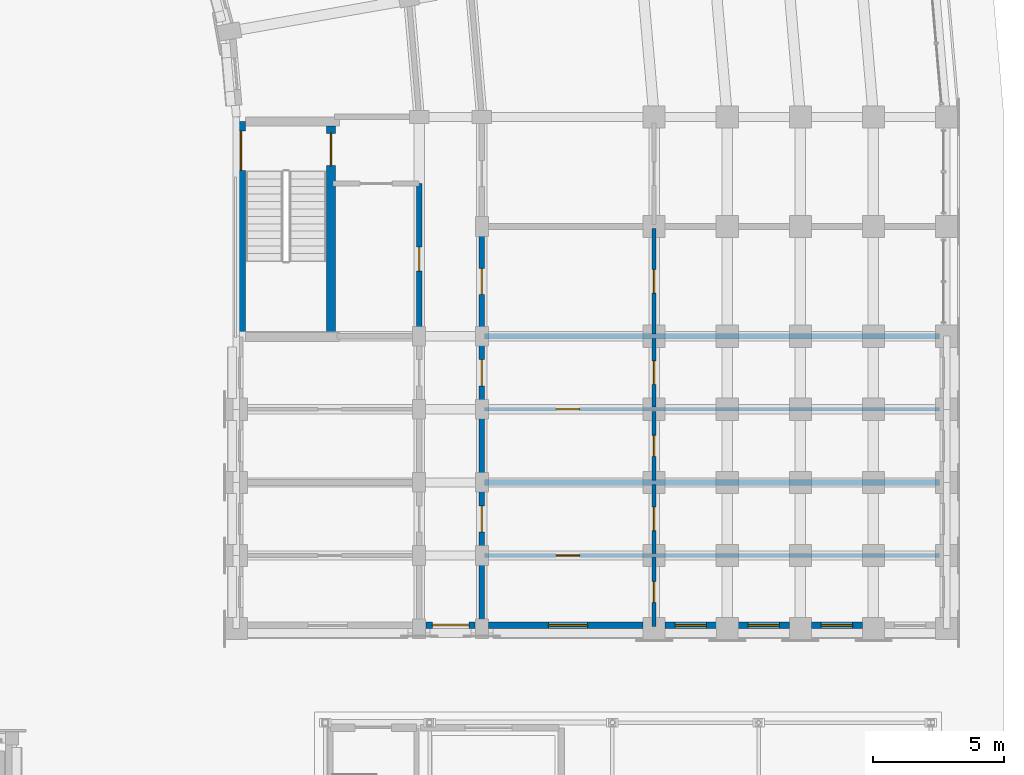
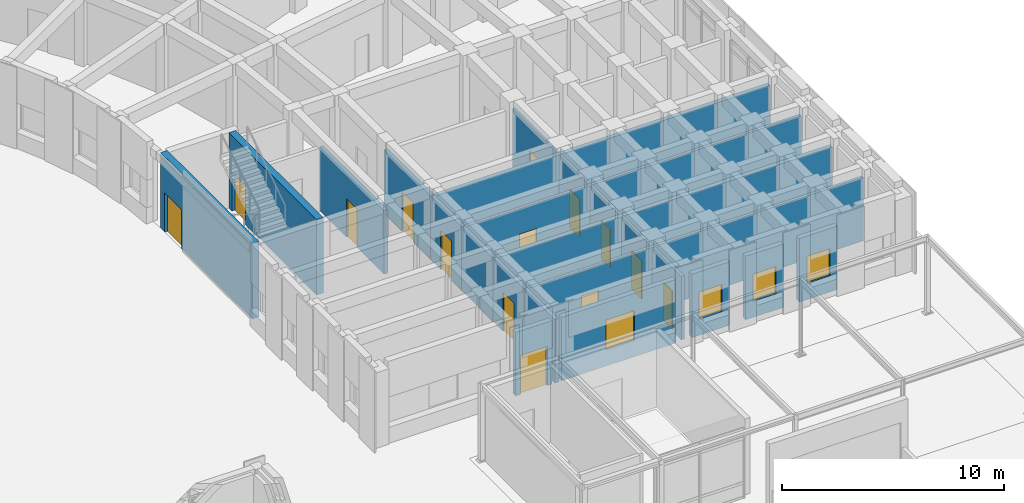
# One storey, part 108 of 135: 22 walls, 14 doors, 4 windows, 18 openings.
"""IFC4 building model written with IfcOpenShell, lengths in metres."""

from ifc_helpers import new_model, si_unit, direction, frame, frame_2d, origin, place, context, subcontext, project, spatial, rectangle, extrude, material, layer, layer_set, type_object, element, fill, save


model = new_model("IFC4")

# Units and contexts
model_context = context("Model", 3, precision=1e-05, world=origin(), true_north=direction((0.0, 1.0)))
body_context = subcontext(model_context, "Body", "Model", "MODEL_VIEW")
ifc_project = project(units=[si_unit("LENGTHUNIT", "METRE"), si_unit("AREAUNIT", "SQUARE_METRE"), si_unit("VOLUMEUNIT", "CUBIC_METRE"), si_unit("PLANEANGLEUNIT", "RADIAN"), si_unit("MASSUNIT", "GRAM", prefix="KILO")], contexts=[model_context])

# Site, building, storey
site_placement = place(None, origin())
site = spatial("IfcSite", under=ifc_project, at=site_placement, CompositionType="ELEMENT")
building_placement = place(site_placement, origin())
building = spatial("IfcBuilding", under=site, at=building_placement, Name="Kiranvali Square Residences", CompositionType="ELEMENT")
storey_placement = place(building_placement, origin())
storey = spatial("IfcBuildingStorey", under=building, at=storey_placement, Name="L00", CompositionType="ELEMENT", Elevation=0.0)

# Wall, opening, door
ifc_material_1 = material(Name="Autoclaved aerated concrete blockwork masonry", Category="masonry")
ifc_layer_1 = layer(ifc_material_1, 0.199951171875)
ifc_layer_set_1 = layer_set([ifc_layer_1], Name="Autoclaved aerated concrete blockwork masonry")
wall_type_1 = type_object("IfcWallType", Name="WL-COR-200", PredefinedType="STANDARD", material=ifc_layer_set_1)
wall_1_placement = place(storey_placement, frame((145.60009765625, 85.25, 0.0), z_axis=(0.0, 0.0, 1.0), x_axis=(0.0, -1.0, 0.0)))
wall_1 = element("IfcWall", 1, at=wall_1_placement, inside=storey, type_object=wall_type_1, Name="L00 architectural wall WL-L00-B-S3-COR", PredefinedType="STANDARD", context=body_context, shape_type="SweptSolid", body=[
    extrude(rectangle(XDim=5.800048828125, YDim=0.199951171875, at=frame_2d((2.89990234375, 0.0))), origin(), (0.0, 0.0, 1.0), 3.491943359375),
])
opening_1_placement = place(wall_1_placement, frame((2.43994140625, 0.0, 0.0)))
opening_1 = element("IfcOpeningElement", 2, at=opening_1_placement, cuts=wall_1, Name="Opening FD-SVC-120", PredefinedType="OPENING", context=body_context, shape_type="SweptSolid", body=[
    extrude(rectangle(XDim=0.919921875, YDim=2.10009765625, at=frame_2d((0.4599609375, 1.050048828125))), frame((0.0, 0.10986328125, 0.0), z_axis=(0.0, -1.0, 0.0), x_axis=(1.0, 0.0, 0.0)), (0.0, 0.0, 1.0), 0.219970703125),
])
ifc_material_2 = material(Name="Fire-rated acoustic hardwood and mineral-core door assembly", Category="wood")
door_type_1 = type_object("IfcDoorType", Name="DR-SVC-900", OperationType="NOTDEFINED", PredefinedType="DOOR", material=ifc_material_2)
door_1_placement = place(opening_1_placement, frame((0.919921875, 0.0, 0.0), z_axis=(0.0, 0.0, 1.0), x_axis=(-1.0, 0.0, 0.0)))
door_1 = element("IfcDoor", 3, at=door_1_placement, inside=storey, type_object=door_type_1, Name="L00 door DR-L00-0952 (DR-SVC-900)", OperationType="SINGLE_SWING_RIGHT", OverallHeight=2.10009765625, OverallWidth=0.919921875, PredefinedType="DOOR", context=body_context, shape_type="SweptSolid", body=[
    extrude(rectangle(XDim=0.919921875, YDim=2.10009765625, at=frame_2d((0.4599609375, 1.050048828125))), frame((0.0, 0.02490234375, 0.0), z_axis=(0.0, -1.0, 0.0), x_axis=(1.0, 0.0, 0.0)), (0.0, 0.0, 1.0), 0.050048828125),
])
fill(opening_1, door_1)

wall_2_placement = place(storey_placement, frame((148.0, 83.60009765625, 0.0), z_axis=(0.0, 0.0, 1.0), x_axis=(0.0, -1.0, 0.0)))
wall_2 = element("IfcWall", 4, at=wall_2_placement, inside=storey, type_object=wall_type_1, Name="L00 architectural wall WL-L00-B-A2CF-C1", PredefinedType="STANDARD", context=body_context, shape_type="SweptSolid", body=[
    extrude(rectangle(XDim=4.2001953125, YDim=0.199951171875, at=frame_2d((2.10009765625, 0.0))), origin(), (0.0, 0.0, 1.0), 3.491943359375),
])
opening_2_placement = place(wall_2_placement, frame((1.60009765625, 0.0, 0.0)))
opening_2 = element("IfcOpeningElement", 5, at=opening_2_placement, cuts=wall_2, Name="Opening FD-APT-60", PredefinedType="OPENING", context=body_context, shape_type="SweptSolid", body=[
    extrude(rectangle(XDim=1.0, YDim=2.14990234375, at=frame_2d((0.5, 1.074951171875))), frame((0.0, 0.10986328125, 0.0), z_axis=(0.0, -1.0, 0.0), x_axis=(1.0, 0.0, 0.0)), (0.0, 0.0, 1.0), 0.219970703125),
])
door_type_2 = type_object("IfcDoorType", Name="DR-APT-1000", OperationType="NOTDEFINED", PredefinedType="DOOR", material=ifc_material_2)
door_2_placement = place(opening_2_placement, frame((1.0, 0.0, 0.0), z_axis=(0.0, 0.0, 1.0), x_axis=(-1.0, 0.0, 0.0)))
door_2 = element("IfcDoor", 6, at=door_2_placement, inside=storey, type_object=door_type_2, Name="L00 door DR-L00-0984 (DR-APT-1000)", OperationType="SINGLE_SWING_RIGHT", OverallHeight=2.14990234375, OverallWidth=1.0, PredefinedType="DOOR", context=body_context, shape_type="SweptSolid", body=[
    extrude(rectangle(XDim=1.0, YDim=2.14990234375, at=frame_2d((0.5, 1.074951171875))), frame((0.0, 0.02490234375, 0.0), z_axis=(0.0, -1.0, 0.0), x_axis=(1.0, 0.0, 0.0)), (0.0, 0.0, 1.0), 0.050048828125),
])
fill(opening_2, door_2)

wall_3_placement = place(storey_placement, frame((148.0, 79.39990234375, 0.0), z_axis=(0.0, 0.0, 1.0), x_axis=(0.0, -1.0, 0.0)))
wall_3 = element("IfcWall", 7, at=wall_3_placement, inside=storey, type_object=wall_type_1, Name="L00 architectural wall WL-L00-B-A2CO-0", PredefinedType="STANDARD", context=body_context, shape_type="SweptSolid", body=[
    extrude(rectangle(XDim=2.7998046875, YDim=0.199951171875, at=frame_2d((1.39990234375, 0.0))), origin(), (0.0, 0.0, 1.0), 3.491943359375),
])
opening_3_placement = place(wall_3_placement, frame((0.89990234375, 0.0, 0.0)))
opening_3 = element("IfcOpeningElement", 8, at=opening_3_placement, cuts=wall_3, Name="Opening FD-APT-60", PredefinedType="OPENING", context=body_context, shape_type="SweptSolid", body=[
    extrude(rectangle(XDim=1.0, YDim=2.14990234375, at=frame_2d((0.5, 1.074951171875))), frame((0.0, 0.10986328125, 0.0), z_axis=(0.0, -1.0, 0.0), x_axis=(1.0, 0.0, 0.0)), (0.0, 0.0, 1.0), 0.219970703125),
])
door_3_placement = place(opening_3_placement, frame((1.0, 0.0, 0.0), z_axis=(0.0, 0.0, 1.0), x_axis=(-1.0, 0.0, 0.0)))
door_3 = element("IfcDoor", 9, at=door_3_placement, inside=storey, type_object=door_type_2, Name="L00 door DR-L00-0988 (DR-APT-1000)", OperationType="SINGLE_SWING_RIGHT", OverallHeight=2.14990234375, OverallWidth=1.0, PredefinedType="DOOR", context=body_context, shape_type="SweptSolid", body=[
    extrude(rectangle(XDim=1.0, YDim=2.14990234375, at=frame_2d((0.5, 1.074951171875))), frame((0.0, 0.02490234375, 0.0), z_axis=(0.0, -1.0, 0.0), x_axis=(1.0, 0.0, 0.0)), (0.0, 0.0, 1.0), 0.050048828125),
])
fill(opening_3, door_3)

# Wall
wall_4_placement = place(storey_placement, frame((148.0, 76.60009765625, 0.0), z_axis=(0.0, 0.0, 1.0), x_axis=(0.0, -1.0, 0.0)))
element("IfcWall", 10, at=wall_4_placement, inside=storey, type_object=wall_type_1, Name="L00 architectural wall WL-L00-B-A2CO-1", PredefinedType="STANDARD", context=body_context, shape_type="SweptSolid", body=[
    extrude(rectangle(XDim=2.800048828125, YDim=0.199951171875, at=frame_2d((1.39990234375, 0.0))), origin(), (0.0, 0.0, 1.0), 3.491943359375),
])

# Wall, opening, door
wall_5_placement = place(storey_placement, frame((148.0, 73.800048828125, 0.0), z_axis=(0.0, 0.0, 1.0), x_axis=(0.0, -1.0, 0.0)))
wall_5 = element("IfcWall", 11, at=wall_5_placement, inside=storey, type_object=wall_type_1, Name="L00 architectural wall WL-L00-B-A2CO-2", PredefinedType="STANDARD", context=body_context, shape_type="SweptSolid", body=[
    extrude(rectangle(XDim=2.800048828125, YDim=0.199951171875, at=frame_2d((1.39990234375, 0.0))), origin(), (0.0, 0.0, 1.0), 3.491943359375),
])
opening_4_placement = place(wall_5_placement, frame((0.89990234375, 0.0, 0.0)))
opening_4 = element("IfcOpeningElement", 12, at=opening_4_placement, cuts=wall_5, Name="Opening FD-APT-60", PredefinedType="OPENING", context=body_context, shape_type="SweptSolid", body=[
    extrude(rectangle(XDim=1.0, YDim=2.14990234375, at=frame_2d((0.5, 1.074951171875))), frame((0.0, 0.10986328125, 0.0), z_axis=(0.0, -1.0, 0.0), x_axis=(1.0, 0.0, 0.0)), (0.0, 0.0, 1.0), 0.219970703125),
])
door_4_placement = place(opening_4_placement, frame((1.0, 0.0, 0.0), z_axis=(0.0, 0.0, 1.0), x_axis=(-1.0, 0.0, 0.0)))
door_4 = element("IfcDoor", 13, at=door_4_placement, inside=storey, type_object=door_type_2, Name="L00 door DR-L00-0994 (DR-APT-1000)", OperationType="SINGLE_SWING_RIGHT", OverallHeight=2.14990234375, OverallWidth=1.0, PredefinedType="DOOR", context=body_context, shape_type="SweptSolid", body=[
    extrude(rectangle(XDim=1.0, YDim=2.14990234375, at=frame_2d((0.5, 1.074951171875))), frame((0.0, 0.02490234375, 0.0), z_axis=(0.0, -1.0, 0.0), x_axis=(1.0, 0.0, 0.0)), (0.0, 0.0, 1.0), 0.050048828125),
])
fill(opening_4, door_4)

# Walls
wall_6_placement = place(storey_placement, frame((148.0, 71.0, 0.0), z_axis=(0.0, 0.0, 1.0), x_axis=(0.0, -1.0, 0.0)))
element("IfcWall", 14, at=wall_6_placement, inside=storey, type_object=wall_type_1, Name="L00 architectural wall WL-L00-B-A2CO-3", PredefinedType="STANDARD", context=body_context, shape_type="SweptSolid", body=[
    extrude(rectangle(XDim=2.800048828125, YDim=0.199951171875, at=frame_2d((1.39990234375, 0.0))), origin(), (0.0, 0.0, 1.0), 3.491943359375),
])
ifc_layer_2 = layer(ifc_material_1, 0.219970703125)
ifc_layer_set_2 = layer_set([ifc_layer_2], Name="Autoclaved aerated concrete blockwork masonry")
wall_type_2 = type_object("IfcWallType", Name="WL-DEM-220", PredefinedType="STANDARD", material=ifc_layer_set_2)
for number, where, z_axis, x_axis, name in (
    (15, (148.10009765625, 79.39990234375, 0.0), (0.0, 0.0, 1.0), (1.0, 0.0, 0.0), "L00 architectural wall WL-L00-B-A2TO-0"),
    (16, (148.10009765625, 73.800048828125, 0.0), (0.0, 0.0, 1.0), (1.0, 0.0, 0.0), "L00 architectural wall WL-L00-B-A2TO-2"),
):
    element("IfcWall", number, at=place(storey_placement, frame(where, z_axis=z_axis, x_axis=x_axis)), inside=storey, type_object=wall_type_2, Name=name, PredefinedType="STANDARD", context=body_context, shape_type="SweptSolid", body=[
        extrude(rectangle(XDim=17.419921875, YDim=0.219970703125, at=frame_2d((8.7099609375, 0.0))), origin(), (0.0, 0.0, 1.0), 3.491943359375),
    ])

# Wall, opening, door
ifc_material_3 = material(Name="Breathable lime-rendered clay brick masonry", Category="masonry")
ifc_layer_3 = layer(ifc_material_3, 0.25)
ifc_layer_set_3 = layer_set([ifc_layer_3], Name="Breathable lime-rendered clay brick masonry")
wall_type_3 = type_object("IfcWallType", Name="WL-EXT-250", PredefinedType="STANDARD", material=ifc_layer_set_3)
wall_7_placement = place(storey_placement, frame((145.853515625, 68.324951171875, 0.0), z_axis=(0.0, 0.0, 1.0), x_axis=(1.0, 0.0, 0.0)))
wall_7 = element("IfcWall", 17, at=wall_7_placement, inside=storey, type_object=wall_type_3, Name="L00 exterior wall B-L00-A2END-1", PredefinedType="STANDARD", context=body_context, shape_type="SweptSolid", body=[
    extrude(rectangle(XDim=1.89306640625, YDim=0.25, at=frame_2d((0.946533203125, 0.0))), origin(), (0.0, 0.0, 1.0), 3.491943359375),
])
opening_5_placement = place(wall_7_placement, frame((0.25, 0.0, 0.0)))
opening_5 = element("IfcOpeningElement", 18, at=opening_5_placement, cuts=wall_7, Name="Opening ED-EX-140", PredefinedType="OPENING", context=body_context, shape_type="SweptSolid", body=[
    extrude(rectangle(XDim=1.39990234375, YDim=2.14990234375, at=frame_2d((0.699951171875, 1.074951171875))), frame((0.0, 0.135009765625, 0.0), z_axis=(0.0, -1.0, 0.0), x_axis=(1.0, 0.0, 0.0)), (0.0, 0.0, 1.0), 0.27001953125),
])
door_type_3 = type_object("IfcDoorType", Name="DR-EXIT-1400", OperationType="NOTDEFINED", PredefinedType="DOOR", material=ifc_material_2)
door_5_placement = place(opening_5_placement, frame((1.39990234375, 0.0, 0.0), z_axis=(0.0, 0.0, 1.0), x_axis=(-1.0, 0.0, 0.0)))
door_5 = element("IfcDoor", 19, at=door_5_placement, inside=storey, type_object=door_type_3, Name="Block B street gateway final exit door", OperationType="SINGLE_SWING_RIGHT", OverallHeight=2.14990234375, OverallWidth=1.39990234375, PredefinedType="DOOR", context=body_context, shape_type="SweptSolid", body=[
    extrude(rectangle(XDim=1.39990234375, YDim=2.14990234375, at=frame_2d((0.699951171875, 1.074951171875))), frame((0.0, 0.02490234375, 0.0), z_axis=(0.0, -1.0, 0.0), x_axis=(1.0, 0.0, 0.0)), (0.0, 0.0, 1.0), 0.050048828125),
])
fill(opening_5, door_5)

# Wall, opening, window
wall_8_placement = place(storey_placement, frame((148.25341796875, 68.324951171875, 0.0), z_axis=(0.0, 0.0, 1.0), x_axis=(1.0, 0.0, 0.0)))
wall_8 = element("IfcWall", 20, at=wall_8_placement, inside=storey, type_object=wall_type_3, Name="L00 exterior wall B-L00-A2END-2", PredefinedType="STANDARD", context=body_context, shape_type="SweptSolid", body=[
    extrude(rectangle(XDim=5.926513671875, YDim=0.25, at=frame_2d((2.96337890625, 0.0))), origin(), (0.0, 0.0, 1.0), 3.491943359375),
])
opening_6_placement = place(wall_8_placement, frame((2.29638671875, 0.0, 0.8798828125)))
opening_6 = element("IfcOpeningElement", 21, at=opening_6_placement, cuts=wall_8, Name="Opening W-05", PredefinedType="OPENING", context=body_context, shape_type="SweptSolid", body=[
    extrude(rectangle(XDim=1.5, YDim=1.64990234375, at=frame_2d((0.75, 0.824951171875))), frame((0.0, 0.135009765625, 0.0), z_axis=(0.0, -1.0, 0.0), x_axis=(1.0, 0.0, 0.0)), (0.0, 0.0, 1.0), 0.27001953125),
])
ifc_material_4 = material(Name="Solar-control low-e double glazing", Category="glass")
window_type_1 = type_object("IfcWindowType", Name="WIN-RES-1500x1650", PartitioningType="DOUBLE_PANEL_VERTICAL", PredefinedType="WINDOW", material=ifc_material_4)
window_1_placement = place(opening_6_placement, origin())
window_1 = element("IfcWindow", 22, at=window_1_placement, inside=storey, type_object=window_type_1, Name="L00 recessed window B-L00-A2END-2", OverallHeight=1.64990234375, OverallWidth=1.5, PartitioningType="DOUBLE_PANEL_VERTICAL", PredefinedType="WINDOW", context=body_context, shape_type="SweptSolid", body=[
    extrude(rectangle(XDim=1.5, YDim=1.64990234375, at=frame_2d((0.75, 0.824951171875))), frame((0.0, 0.030029296875, 0.0), z_axis=(0.0, -1.0, 0.0), x_axis=(1.0, 0.0, 0.0)), (0.0, 0.0, 1.0), 0.06005859375),
])
fill(opening_6, window_1)

wall_9_placement = place(storey_placement, frame((155.02001953125, 68.324951171875, 0.0), z_axis=(0.0, 0.0, 1.0), x_axis=(1.0, 0.0, 0.0)))
wall_9 = element("IfcWall", 23, at=wall_9_placement, inside=storey, type_object=wall_type_3, Name="L00 exterior wall B-L00-A2END-3", PredefinedType="STANDARD", context=body_context, shape_type="SweptSolid", body=[
    extrude(rectangle(XDim=1.9599609375, YDim=0.25, at=frame_2d((0.97998046875, 0.0))), origin(), (0.0, 0.0, 1.0), 3.491943359375),
])
opening_7_placement = place(wall_9_placement, frame((0.3798828125, 0.0, 0.8798828125)))
opening_7 = element("IfcOpeningElement", 24, at=opening_7_placement, cuts=wall_9, Name="Opening W-06", PredefinedType="OPENING", context=body_context, shape_type="SweptSolid", body=[
    extrude(rectangle(XDim=1.199951171875, YDim=1.5, at=frame_2d((0.60009765625, 0.75))), frame((0.0, 0.135009765625, 0.0), z_axis=(0.0, -1.0, 0.0), x_axis=(1.0, 0.0, 0.0)), (0.0, 0.0, 1.0), 0.27001953125),
])
window_type_2 = type_object("IfcWindowType", Name="WIN-RES-1200x1500", PartitioningType="SINGLE_PANEL", PredefinedType="WINDOW", material=ifc_material_4)
window_2_placement = place(opening_7_placement, origin())
window_2 = element("IfcWindow", 25, at=window_2_placement, inside=storey, type_object=window_type_2, Name="L00 recessed window B-L00-A2END-3", OverallHeight=1.5, OverallWidth=1.199951171875, PartitioningType="SINGLE_PANEL", PredefinedType="WINDOW", context=body_context, shape_type="SweptSolid", body=[
    extrude(rectangle(XDim=1.199951171875, YDim=1.5, at=frame_2d((0.60009765625, 0.75))), frame((0.0, 0.030029296875, 0.0), z_axis=(0.0, -1.0, 0.0), x_axis=(1.0, 0.0, 0.0)), (0.0, 0.0, 1.0), 0.06005859375),
])
fill(opening_7, window_2)

wall_10_placement = place(storey_placement, frame((157.820068359375, 68.324951171875, 0.0), z_axis=(0.0, 0.0, 1.0), x_axis=(1.0, 0.0, 0.0)))
wall_10 = element("IfcWall", 26, at=wall_10_placement, inside=storey, type_object=wall_type_3, Name="L00 exterior wall B-L00-A2END-4", PredefinedType="STANDARD", context=body_context, shape_type="SweptSolid", body=[
    extrude(rectangle(XDim=1.9599609375, YDim=0.25, at=frame_2d((0.97998046875, 0.0))), origin(), (0.0, 0.0, 1.0), 3.491943359375),
])
opening_8_placement = place(wall_10_placement, frame((0.3798828125, 0.0, 0.8798828125)))
opening_8 = element("IfcOpeningElement", 27, at=opening_8_placement, cuts=wall_10, Name="Opening W-06", PredefinedType="OPENING", context=body_context, shape_type="SweptSolid", body=[
    extrude(rectangle(XDim=1.199951171875, YDim=1.5, at=frame_2d((0.60009765625, 0.75))), frame((0.0, 0.135009765625, 0.0), z_axis=(0.0, -1.0, 0.0), x_axis=(1.0, 0.0, 0.0)), (0.0, 0.0, 1.0), 0.27001953125),
])
window_3_placement = place(opening_8_placement, origin())
window_3 = element("IfcWindow", 28, at=window_3_placement, inside=storey, type_object=window_type_2, Name="L00 recessed window B-L00-A2END-4", OverallHeight=1.5, OverallWidth=1.199951171875, PartitioningType="SINGLE_PANEL", PredefinedType="WINDOW", context=body_context, shape_type="SweptSolid", body=[
    extrude(rectangle(XDim=1.199951171875, YDim=1.5, at=frame_2d((0.60009765625, 0.75))), frame((0.0, 0.030029296875, 0.0), z_axis=(0.0, -1.0, 0.0), x_axis=(1.0, 0.0, 0.0)), (0.0, 0.0, 1.0), 0.06005859375),
])
fill(opening_8, window_3)

wall_11_placement = place(storey_placement, frame((160.6201171875, 68.324951171875, 0.0), z_axis=(0.0, 0.0, 1.0), x_axis=(1.0, 0.0, 0.0)))
wall_11 = element("IfcWall", 29, at=wall_11_placement, inside=storey, type_object=wall_type_3, Name="L00 exterior wall B-L00-A2END-5", PredefinedType="STANDARD", context=body_context, shape_type="SweptSolid", body=[
    extrude(rectangle(XDim=1.9599609375, YDim=0.25, at=frame_2d((0.97998046875, 0.0))), origin(), (0.0, 0.0, 1.0), 3.491943359375),
])
opening_9_placement = place(wall_11_placement, frame((0.3798828125, 0.0, 0.8798828125)))
opening_9 = element("IfcOpeningElement", 30, at=opening_9_placement, cuts=wall_11, Name="Opening W-06", PredefinedType="OPENING", context=body_context, shape_type="SweptSolid", body=[
    extrude(rectangle(XDim=1.199951171875, YDim=1.5, at=frame_2d((0.60009765625, 0.75))), frame((0.0, 0.135009765625, 0.0), z_axis=(0.0, -1.0, 0.0), x_axis=(1.0, 0.0, 0.0)), (0.0, 0.0, 1.0), 0.27001953125),
])
window_4_placement = place(opening_9_placement, origin())
window_4 = element("IfcWindow", 31, at=window_4_placement, inside=storey, type_object=window_type_2, Name="L00 recessed window B-L00-A2END-5", OverallHeight=1.5, OverallWidth=1.199951171875, PartitioningType="SINGLE_PANEL", PredefinedType="WINDOW", context=body_context, shape_type="SweptSolid", body=[
    extrude(rectangle(XDim=1.199951171875, YDim=1.5, at=frame_2d((0.60009765625, 0.75))), frame((0.0, 0.030029296875, 0.0), z_axis=(0.0, -1.0, 0.0), x_axis=(1.0, 0.0, 0.0)), (0.0, 0.0, 1.0), 0.06005859375),
])
fill(opening_9, window_4)

# Wall, opening, door
ifc_material_5 = material(Name="Acoustic gypsum board drylined partition", Category="gypsum")
ifc_layer_4 = layer(ifc_material_5, 0.14990234375)
ifc_layer_set_4 = layer_set([ifc_layer_4], Name="Acoustic gypsum board drylined partition")
wall_type_4 = type_object("IfcWallType", Name="WL-PRT-150", PredefinedType="PARTITIONING", material=ifc_layer_set_4)
wall_12_placement = place(storey_placement, frame((154.60009765625, 83.52001953125, 0.0), z_axis=(0.0, 0.0, 1.0), x_axis=(0.0, -1.0, 0.0)))
wall_12 = element("IfcWall", 32, at=wall_12_placement, inside=storey, type_object=wall_type_4, Name="L00 architectural wall WL-L00-B-A2CF-SP1", PredefinedType="PARTITIONING", context=body_context, shape_type="SweptSolid", body=[
    extrude(rectangle(XDim=4.0400390625, YDim=0.14990234375, at=frame_2d((2.02001953125, 0.0))), origin(), (0.0, 0.0, 1.0), 3.491943359375),
])
opening_10_placement = place(wall_12_placement, frame((1.570068359375, 0.0, 0.0)))
opening_10 = element("IfcOpeningElement", 33, at=opening_10_placement, cuts=wall_12, Name="Opening ID-1", PredefinedType="OPENING", context=body_context, shape_type="SweptSolid", body=[
    extrude(rectangle(XDim=0.89990234375, YDim=2.10009765625, at=frame_2d((0.449951171875, 1.050048828125))), frame((0.0, 0.0849609375, 0.0), z_axis=(0.0, -1.0, 0.0), x_axis=(1.0, 0.0, 0.0)), (0.0, 0.0, 1.0), 0.169921875),
])
ifc_material_6 = material(Name="Solid seasoned teak hardwood joinery", Category="wood")
door_type_4 = type_object("IfcDoorType", Name="DR-INT-900", OperationType="NOTDEFINED", PredefinedType="DOOR", material=ifc_material_6)
door_6_placement = place(opening_10_placement, origin())
door_6 = element("IfcDoor", 34, at=door_6_placement, inside=storey, type_object=door_type_4, Name="L00 door DR-L00-0985 (DR-INT-900)", OperationType="SINGLE_SWING_LEFT", OverallHeight=2.10009765625, OverallWidth=0.89990234375, PredefinedType="DOOR", context=body_context, shape_type="SweptSolid", body=[
    extrude(rectangle(XDim=0.89990234375, YDim=2.10009765625, at=frame_2d((0.449951171875, 1.050048828125))), frame((0.0, 0.02490234375, 0.0), z_axis=(0.0, -1.0, 0.0), x_axis=(1.0, 0.0, 0.0)), (0.0, 0.0, 1.0), 0.050048828125),
])
fill(opening_10, door_6)

wall_13_placement = place(storey_placement, frame((148.10009765625, 76.60009765625, 0.0), z_axis=(0.0, 0.0, 1.0), x_axis=(1.0, 0.0, 0.0)))
wall_13 = element("IfcWall", 35, at=wall_13_placement, inside=storey, type_object=wall_type_4, Name="L00 architectural wall WL-L00-B-A2TO-1", PredefinedType="PARTITIONING", context=body_context, shape_type="SweptSolid", body=[
    extrude(rectangle(XDim=17.419921875, YDim=0.14990234375, at=frame_2d((8.7099609375, 0.0))), origin(), (0.0, 0.0, 1.0), 3.491943359375),
])
opening_11_placement = place(wall_13_placement, frame((2.75, 0.0, 0.0)))
opening_11 = element("IfcOpeningElement", 36, at=opening_11_placement, cuts=wall_13, Name="Opening ID-1", PredefinedType="OPENING", context=body_context, shape_type="SweptSolid", body=[
    extrude(rectangle(XDim=0.89990234375, YDim=2.10009765625, at=frame_2d((0.449951171875, 1.050048828125))), frame((0.0, 0.0849609375, 0.0), z_axis=(0.0, -1.0, 0.0), x_axis=(1.0, 0.0, 0.0)), (0.0, 0.0, 1.0), 0.169921875),
])
door_7_placement = place(opening_11_placement, origin())
door_7 = element("IfcDoor", 37, at=door_7_placement, inside=storey, type_object=door_type_4, Name="L00 door DR-L00-0991 (DR-INT-900)", OperationType="SINGLE_SWING_LEFT", OverallHeight=2.10009765625, OverallWidth=0.89990234375, PredefinedType="DOOR", context=body_context, shape_type="SweptSolid", body=[
    extrude(rectangle(XDim=0.89990234375, YDim=2.10009765625, at=frame_2d((0.449951171875, 1.050048828125))), frame((0.0, 0.02490234375, 0.0), z_axis=(0.0, -1.0, 0.0), x_axis=(1.0, 0.0, 0.0)), (0.0, 0.0, 1.0), 0.050048828125),
])
fill(opening_11, door_7)

wall_14_placement = place(storey_placement, frame((148.10009765625, 71.0, 0.0), z_axis=(0.0, 0.0, 1.0), x_axis=(1.0, 0.0, 0.0)))
wall_14 = element("IfcWall", 38, at=wall_14_placement, inside=storey, type_object=wall_type_4, Name="L00 architectural wall WL-L00-B-A2TO-3", PredefinedType="PARTITIONING", context=body_context, shape_type="SweptSolid", body=[
    extrude(rectangle(XDim=17.419921875, YDim=0.14990234375, at=frame_2d((8.7099609375, 0.0))), origin(), (0.0, 0.0, 1.0), 3.491943359375),
])
opening_12_placement = place(wall_14_placement, frame((2.75, 0.0, 0.0)))
opening_12 = element("IfcOpeningElement", 39, at=opening_12_placement, cuts=wall_14, Name="Opening ID-1", PredefinedType="OPENING", context=body_context, shape_type="SweptSolid", body=[
    extrude(rectangle(XDim=0.89990234375, YDim=2.10009765625, at=frame_2d((0.449951171875, 1.050048828125))), frame((0.0, 0.0849609375, 0.0), z_axis=(0.0, -1.0, 0.0), x_axis=(1.0, 0.0, 0.0)), (0.0, 0.0, 1.0), 0.169921875),
])
door_8_placement = place(opening_12_placement, origin())
door_8 = element("IfcDoor", 40, at=door_8_placement, inside=storey, type_object=door_type_4, Name="L00 door DR-L00-0997 (DR-INT-900)", OperationType="SINGLE_SWING_LEFT", OverallHeight=2.10009765625, OverallWidth=0.89990234375, PredefinedType="DOOR", context=body_context, shape_type="SweptSolid", body=[
    extrude(rectangle(XDim=0.89990234375, YDim=2.10009765625, at=frame_2d((0.449951171875, 1.050048828125))), frame((0.0, 0.02490234375, 0.0), z_axis=(0.0, -1.0, 0.0), x_axis=(1.0, 0.0, 0.0)), (0.0, 0.0, 1.0), 0.050048828125),
])
fill(opening_12, door_8)

ifc_material_7 = material(Name="Concrete M50 (50 MPa)", Category="concrete")
ifc_layer_5 = layer(ifc_material_7, 0.35009765625)
ifc_layer_set_5 = layer_set([ifc_layer_5], Name="Concrete M50 (50 MPa)")
wall_type_5 = type_object("IfcWallType", Name="WL-SHR-350", PredefinedType="SHEAR", material=ifc_layer_set_5)
wall_15_placement = place(storey_placement, frame((138.77490234375, 87.625, 0.0), z_axis=(0.0, 0.0, 1.0), x_axis=(0.0, -1.0, 0.0)))
wall_15 = element("IfcWall", 41, at=wall_15_placement, inside=storey, type_object=wall_type_5, Name="Block B core shear wall SW-B3-OUT-L00", PredefinedType="SHEAR", context=body_context, shape_type="SweptSolid", body=[
    extrude(rectangle(XDim=8.25, YDim=0.35009765625, at=frame_2d((4.125, 0.0))), origin(), (0.0, 0.0, 1.0), 4.14990234375),
])
opening_13_placement = place(wall_15_placement, frame((0.375, 0.0, 0.0)))
opening_13 = element("IfcOpeningElement", 42, at=opening_13_placement, cuts=wall_15, Name="Opening ED-EX-150", PredefinedType="OPENING", context=body_context, shape_type="SweptSolid", body=[
    extrude(rectangle(XDim=1.5, YDim=2.14990234375, at=frame_2d((0.75, 1.074951171875))), frame((0.0, 0.18505859375, 0.0), z_axis=(0.0, -1.0, 0.0), x_axis=(1.0, 0.0, 0.0)), (0.0, 0.0, 1.0), 0.3701171875),
])
door_type_5 = type_object("IfcDoorType", Name="DR-EXIT-1500", OperationType="NOTDEFINED", PredefinedType="DOOR", material=ifc_material_2)
door_9_placement = place(opening_13_placement, frame((1.5, 0.0, 0.0), z_axis=(0.0, 0.0, 1.0), x_axis=(-1.0, 0.0, 0.0)))
door_9 = element("IfcDoor", 43, at=door_9_placement, inside=storey, type_object=door_type_5, Name="L00 door DR-L00-0947 (DR-EXIT-1500)", OperationType="SINGLE_SWING_LEFT", OverallHeight=2.14990234375, OverallWidth=1.5, PredefinedType="DOOR", context=body_context, shape_type="SweptSolid", body=[
    extrude(rectangle(XDim=1.5, YDim=2.14990234375, at=frame_2d((0.75, 1.074951171875))), frame((0.0, 0.02490234375, 0.0), z_axis=(0.0, -1.0, 0.0), x_axis=(1.0, 0.0, 0.0)), (0.0, 0.0, 1.0), 0.050048828125),
])
fill(opening_13, door_9)

wall_16_placement = place(storey_placement, frame((142.22509765625, 87.449951171875, 0.0), z_axis=(0.0, 0.0, 1.0), x_axis=(0.0, -1.0, 0.0)))
wall_16 = element("IfcWall", 44, at=wall_16_placement, inside=storey, type_object=wall_type_5, Name="Block B core shear wall SW-B3-IN-L00", PredefinedType="SHEAR", context=body_context, shape_type="SweptSolid", body=[
    extrude(rectangle(XDim=7.89990234375, YDim=0.35009765625, at=frame_2d((3.949951171875, 0.0))), origin(), (0.0, 0.0, 1.0), 4.14990234375),
])
opening_14_placement = place(wall_16_placement, frame((0.280029296875, 0.0, 0.0)))
opening_14 = element("IfcOpeningElement", 45, at=opening_14_placement, cuts=wall_16, Name="Opening FD-ST-120", PredefinedType="OPENING", context=body_context, shape_type="SweptSolid", body=[
    extrude(rectangle(XDim=1.239990234375, YDim=2.14990234375, at=frame_2d((0.6201171875, 1.074951171875))), frame((0.0, 0.18505859375, 0.0), z_axis=(0.0, -1.0, 0.0), x_axis=(1.0, 0.0, 0.0)), (0.0, 0.0, 1.0), 0.3701171875),
])
door_type_6 = type_object("IfcDoorType", Name="DR-FD120-1200", OperationType="NOTDEFINED", PredefinedType="DOOR", material=ifc_material_2)
door_10_placement = place(opening_14_placement, origin())
door_10 = element("IfcDoor", 46, at=door_10_placement, inside=storey, type_object=door_type_6, Name="L00 door DR-L00-0945 (DR-FD120-1200)", OperationType="SINGLE_SWING_LEFT", OverallHeight=2.14990234375, OverallWidth=1.239990234375, PredefinedType="DOOR", context=body_context, shape_type="SweptSolid", body=[
    extrude(rectangle(XDim=1.239990234375, YDim=2.14990234375, at=frame_2d((0.6201171875, 1.074951171875))), frame((0.0, 0.02490234375, 0.0), z_axis=(0.0, -1.0, 0.0), x_axis=(1.0, 0.0, 0.0)), (0.0, 0.0, 1.0), 0.050048828125),
])
fill(opening_14, door_10)

ifc_layer_6 = layer(ifc_material_1, 0.14990234375)
ifc_layer_set_6 = layer_set([ifc_layer_6], Name="Autoclaved aerated concrete blockwork masonry")
wall_type_6 = type_object("IfcWallType", Name="WL-WET-150", PredefinedType="PLUMBINGWALL", material=ifc_layer_set_6)
wall_17_placement = place(storey_placement, frame((154.60009765625, 79.320068359375, 0.0), z_axis=(0.0, 0.0, 1.0), x_axis=(0.0, -1.0, 0.0)))
wall_17 = element("IfcWall", 47, at=wall_17_placement, inside=storey, type_object=wall_type_6, Name="L00 architectural wall WL-L00-B-A2SP-0", PredefinedType="PLUMBINGWALL", context=body_context, shape_type="SweptSolid", body=[
    extrude(rectangle(XDim=2.64013671875, YDim=0.14990234375, at=frame_2d((1.320068359375, 0.0))), origin(), (0.0, 0.0, 1.0), 3.491943359375),
])
opening_15_placement = place(wall_17_placement, frame((0.8701171875, 0.0, 0.0)))
opening_15 = element("IfcOpeningElement", 48, at=opening_15_placement, cuts=wall_17, Name="Opening ID-1", PredefinedType="OPENING", context=body_context, shape_type="SweptSolid", body=[
    extrude(rectangle(XDim=0.89990234375, YDim=2.10009765625, at=frame_2d((0.449951171875, 1.050048828125))), frame((0.0, 0.0849609375, 0.0), z_axis=(0.0, -1.0, 0.0), x_axis=(1.0, 0.0, 0.0)), (0.0, 0.0, 1.0), 0.169921875),
])
door_11_placement = place(opening_15_placement, origin())
door_11 = element("IfcDoor", 49, at=door_11_placement, inside=storey, type_object=door_type_4, Name="L00 door DR-L00-0987 (DR-INT-900)", OperationType="SINGLE_SWING_LEFT", OverallHeight=2.10009765625, OverallWidth=0.89990234375, PredefinedType="DOOR", context=body_context, shape_type="SweptSolid", body=[
    extrude(rectangle(XDim=0.89990234375, YDim=2.10009765625, at=frame_2d((0.449951171875, 1.050048828125))), frame((0.0, 0.02490234375, 0.0), z_axis=(0.0, -1.0, 0.0), x_axis=(1.0, 0.0, 0.0)), (0.0, 0.0, 1.0), 0.050048828125),
])
fill(opening_15, door_11)

wall_18_placement = place(storey_placement, frame((154.60009765625, 76.52001953125, 0.0), z_axis=(0.0, 0.0, 1.0), x_axis=(0.0, -1.0, 0.0)))
wall_18 = element("IfcWall", 50, at=wall_18_placement, inside=storey, type_object=wall_type_6, Name="L00 architectural wall WL-L00-B-A2SP-1", PredefinedType="PLUMBINGWALL", context=body_context, shape_type="SweptSolid", body=[
    extrude(rectangle(XDim=2.64013671875, YDim=0.14990234375, at=frame_2d((1.320068359375, 0.0))), origin(), (0.0, 0.0, 1.0), 3.491943359375),
])
opening_16_placement = place(wall_18_placement, frame((0.919921875, 0.0, 0.0)))
opening_16 = element("IfcOpeningElement", 51, at=opening_16_placement, cuts=wall_18, Name="Opening ID-WET", PredefinedType="OPENING", context=body_context, shape_type="SweptSolid", body=[
    extrude(rectangle(XDim=0.800048828125, YDim=2.10009765625, at=frame_2d((0.39990234375, 1.050048828125))), frame((0.0, 0.0849609375, 0.0), z_axis=(0.0, -1.0, 0.0), x_axis=(1.0, 0.0, 0.0)), (0.0, 0.0, 1.0), 0.169921875),
])
door_type_7 = type_object("IfcDoorType", Name="DR-WET-800", OperationType="NOTDEFINED", PredefinedType="DOOR", material=ifc_material_6)
door_12_placement = place(opening_16_placement, origin())
door_12 = element("IfcDoor", 52, at=door_12_placement, inside=storey, type_object=door_type_7, Name="L00 door DR-L00-0989 (DR-WET-800)", OperationType="SINGLE_SWING_LEFT", OverallHeight=2.10009765625, OverallWidth=0.800048828125, PredefinedType="DOOR", context=body_context, shape_type="SweptSolid", body=[
    extrude(rectangle(XDim=0.800048828125, YDim=2.10009765625, at=frame_2d((0.39990234375, 1.050048828125))), frame((0.0, 0.02490234375, 0.0), z_axis=(0.0, -1.0, 0.0), x_axis=(1.0, 0.0, 0.0)), (0.0, 0.0, 1.0), 0.050048828125),
])
fill(opening_16, door_12)

wall_19_placement = place(storey_placement, frame((154.60009765625, 73.719970703125, 0.0), z_axis=(0.0, 0.0, 1.0), x_axis=(0.0, -1.0, 0.0)))
wall_19 = element("IfcWall", 53, at=wall_19_placement, inside=storey, type_object=wall_type_6, Name="L00 architectural wall WL-L00-B-A2SP-2", PredefinedType="PLUMBINGWALL", context=body_context, shape_type="SweptSolid", body=[
    extrude(rectangle(XDim=2.639892578125, YDim=0.14990234375, at=frame_2d((1.31982421875, 0.0))), origin(), (0.0, 0.0, 1.0), 3.491943359375),
])
opening_17_placement = place(wall_19_placement, frame((0.8701171875, 0.0, 0.0)))
opening_17 = element("IfcOpeningElement", 54, at=opening_17_placement, cuts=wall_19, Name="Opening ID-1", PredefinedType="OPENING", context=body_context, shape_type="SweptSolid", body=[
    extrude(rectangle(XDim=0.89990234375, YDim=2.10009765625, at=frame_2d((0.449951171875, 1.050048828125))), frame((0.0, 0.0849609375, 0.0), z_axis=(0.0, -1.0, 0.0), x_axis=(1.0, 0.0, 0.0)), (0.0, 0.0, 1.0), 0.169921875),
])
door_13_placement = place(opening_17_placement, origin())
door_13 = element("IfcDoor", 55, at=door_13_placement, inside=storey, type_object=door_type_4, Name="L00 door DR-L00-0993 (DR-INT-900)", OperationType="SINGLE_SWING_LEFT", OverallHeight=2.10009765625, OverallWidth=0.89990234375, PredefinedType="DOOR", context=body_context, shape_type="SweptSolid", body=[
    extrude(rectangle(XDim=0.89990234375, YDim=2.10009765625, at=frame_2d((0.449951171875, 1.050048828125))), frame((0.0, 0.02490234375, 0.0), z_axis=(0.0, -1.0, 0.0), x_axis=(1.0, 0.0, 0.0)), (0.0, 0.0, 1.0), 0.050048828125),
])
fill(opening_17, door_13)

wall_20_placement = place(storey_placement, frame((154.60009765625, 70.919921875, 0.0), z_axis=(0.0, 0.0, 1.0), x_axis=(0.0, -1.0, 0.0)))
wall_20 = element("IfcWall", 56, at=wall_20_placement, inside=storey, type_object=wall_type_6, Name="L00 architectural wall WL-L00-B-A2SP-3", PredefinedType="PLUMBINGWALL", context=body_context, shape_type="SweptSolid", body=[
    extrude(rectangle(XDim=2.639892578125, YDim=0.14990234375, at=frame_2d((1.31982421875, 0.0))), origin(), (0.0, 0.0, 1.0), 3.491943359375),
])
opening_18_placement = place(wall_20_placement, frame((0.919921875, 0.0, 0.0)))
opening_18 = element("IfcOpeningElement", 57, at=opening_18_placement, cuts=wall_20, Name="Opening ID-WET", PredefinedType="OPENING", context=body_context, shape_type="SweptSolid", body=[
    extrude(rectangle(XDim=0.800048828125, YDim=2.10009765625, at=frame_2d((0.39990234375, 1.050048828125))), frame((0.0, 0.0849609375, 0.0), z_axis=(0.0, -1.0, 0.0), x_axis=(1.0, 0.0, 0.0)), (0.0, 0.0, 1.0), 0.169921875),
])
door_14_placement = place(opening_18_placement, origin())
door_14 = element("IfcDoor", 58, at=door_14_placement, inside=storey, type_object=door_type_7, Name="L00 door DR-L00-0995 (DR-WET-800)", OperationType="SINGLE_SWING_LEFT", OverallHeight=2.10009765625, OverallWidth=0.800048828125, PredefinedType="DOOR", context=body_context, shape_type="SweptSolid", body=[
    extrude(rectangle(XDim=0.800048828125, YDim=2.10009765625, at=frame_2d((0.39990234375, 1.050048828125))), frame((0.0, 0.02490234375, 0.0), z_axis=(0.0, -1.0, 0.0), x_axis=(1.0, 0.0, 0.0)), (0.0, 0.0, 1.0), 0.050048828125),
])
fill(opening_18, door_14)

save(model, "model.ifc")
